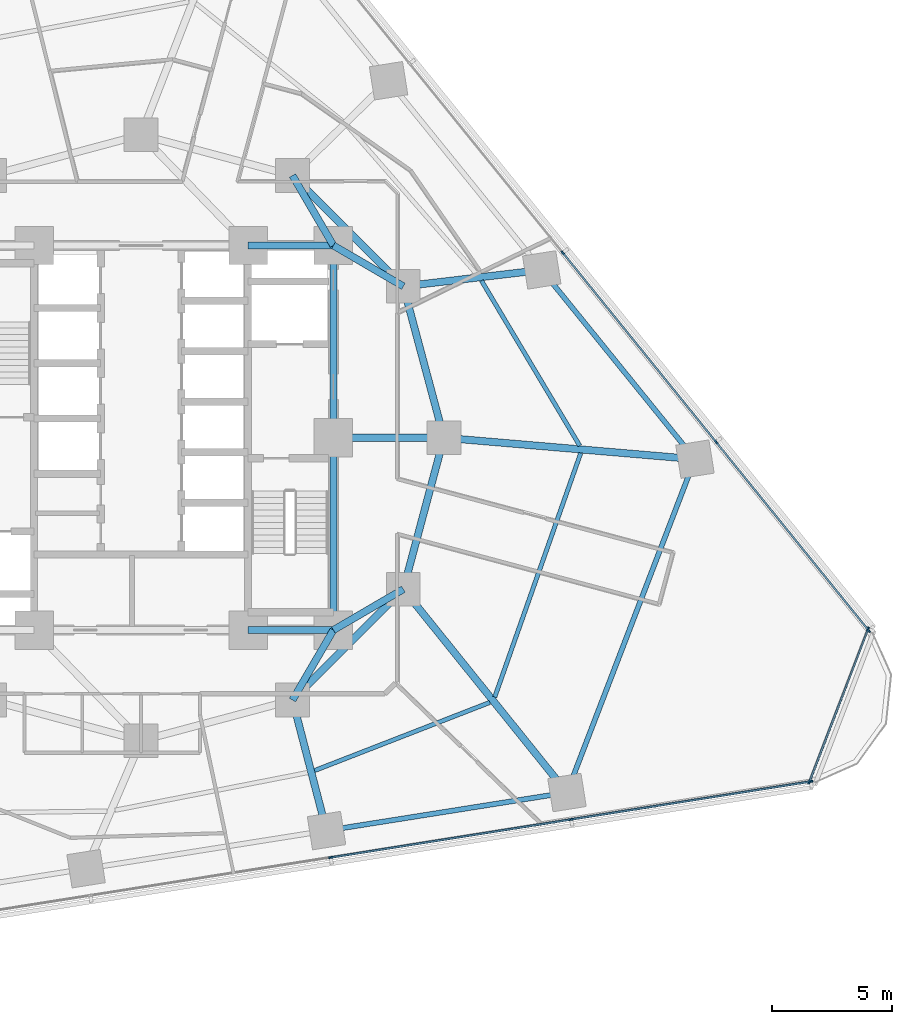
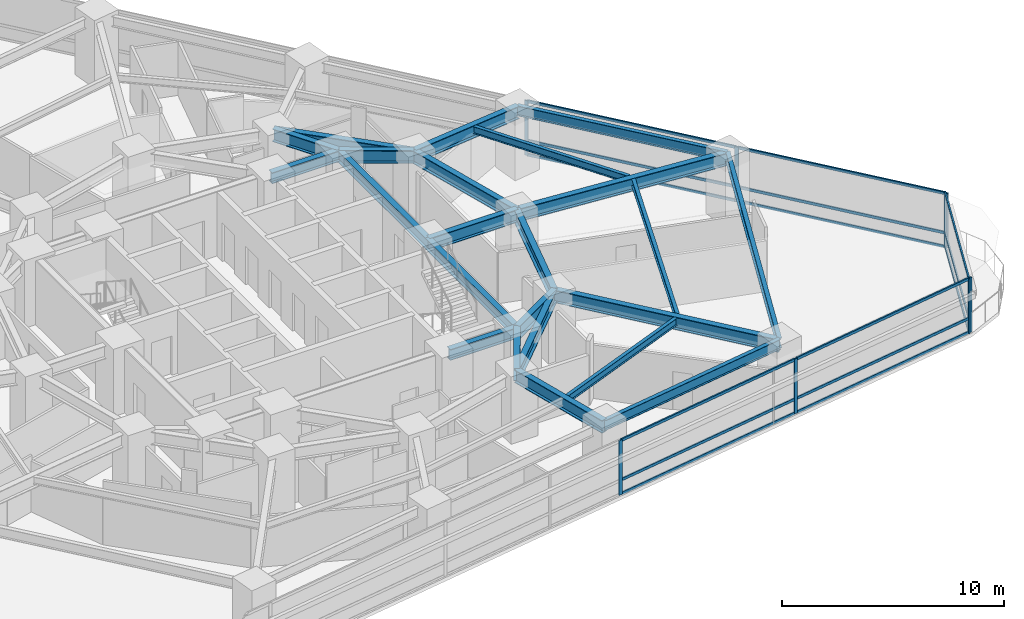
# One storey, part 4 of 14: 23 beams, 23 members, 3 elements without a shape of their own.
"""IFC4 building model written with IfcOpenShell, lengths in metres."""

from ifc_helpers import new_model, si_unit, direction, frame, origin, origin_2d, place, context, subcontext, project, spatial, rectangle, i_section, extrude, material, layer, layer_set, material_profile, profile_set, type_object, element, aggregate, save


model = new_model("IFC4")

# Units and contexts
model_context = context("Model", 3, precision=1e-05, world=origin(), true_north=direction((0.0, 1.0)))
body_context = subcontext(model_context, "Body", "Model", "MODEL_VIEW")
ifc_project = project(units=[si_unit("LENGTHUNIT", "METRE"), si_unit("AREAUNIT", "SQUARE_METRE"), si_unit("VOLUMEUNIT", "CUBIC_METRE"), si_unit("PLANEANGLEUNIT", "RADIAN"), si_unit("MASSUNIT", "GRAM", prefix="KILO")], contexts=[model_context])

# Site, building, storey
site_placement = place(None, origin())
site = spatial("IfcSite", under=ifc_project, at=site_placement, CompositionType="ELEMENT")
building_placement = place(site_placement, origin())
building = spatial("IfcBuilding", under=site, at=building_placement, Name="Terralouvre Media Tower", CompositionType="ELEMENT")
storey_placement = place(building_placement, frame((0.0, 0.0, 66.699951171875)))
storey = spatial("IfcBuildingStorey", under=building, at=storey_placement, Name="L16", CompositionType="ELEMENT", Elevation=66.699951171875)

# Beams
ifc_material_1 = material(Name="Structural steel S355J2", Category="steel")
ifc_material_profile_1 = material_profile(ifc_material_1, i_section(OverallWidth=0.179931640625, OverallDepth=0.39990234375, WebThickness=0.008544921875, FlangeThickness=0.013427734375, at=origin_2d()), Name="IPE 400")
ifc_profile_set_1 = profile_set([ifc_material_profile_1], Name="Structural steel S355J2")
beam_type_1 = type_object("IfcBeamType", Name="Composite Floor Joist J-IPE400 (IPE 400)", PredefinedType="JOIST", material=ifc_profile_set_1)
beam_1_placement = place(storey_placement, frame((7.21826171875, -13.844482421875, 3.300048828125), z_axis=(0.931999401601, 0.362459812139, 0.0), x_axis=(-0.362459812139, 0.931999401601, 0.0)))
element("IfcBeam", 1, at=beam_1_placement, inside=storey, type_object=beam_type_1, Name="L16 Framing Beam JT-L16-04", PredefinedType="JOIST", context=body_context, shape_type="SweptSolid", body=[
    extrude(i_section(OverallWidth=0.179931640625, OverallDepth=0.39990234375, WebThickness=0.008544921875, FlangeThickness=0.013427734375, at=origin_2d()), origin(), (0.0, 0.0, 1.0), 7.82470703125),
])
beam_2_placement = place(storey_placement, frame((14.713623046875, -10.78759765625, 3.300048828125), z_axis=(0.332419189209, 0.943131741935, 0.0), x_axis=(-0.943131741935, 0.332419189209, 0.0)))
element("IfcBeam", 2, at=beam_2_placement, inside=storey, type_object=beam_type_1, Name="L16 Framing Beam JT-L16-05", PredefinedType="JOIST", context=body_context, shape_type="SweptSolid", body=[
    extrude(i_section(OverallWidth=0.179931640625, OverallDepth=0.39990234375, WebThickness=0.008544921875, FlangeThickness=0.013427734375, at=origin_2d()), origin(), (0.0, 0.0, 1.0), 10.766845703125),
])
beam_3_placement = place(storey_placement, frame((18.250244140625, -0.331787109375, 3.300048828125), z_axis=(-0.511572999737, 0.859239818642, 0.0), x_axis=(-0.859239818642, -0.511572999737, 0.0)))
element("IfcBeam", 3, at=beam_3_placement, inside=storey, type_object=beam_type_1, Name="L16 Framing Beam JT-L16-06", PredefinedType="JOIST", context=body_context, shape_type="SweptSolid", body=[
    extrude(i_section(OverallWidth=0.179931640625, OverallDepth=0.39990234375, WebThickness=0.008544921875, FlangeThickness=0.013427734375, at=origin_2d()), origin(), (0.0, 0.0, 1.0), 7.99267578125),
])

# Curtain wall, members
ifc_material_2 = material(Name="Low-iron laminated double glazing with solar-control coating", Category="glass")
ifc_layer_1 = layer(ifc_material_2, 0.1650390625, Name="Lower Media Tower Unitised Curtain Wall CW-02")
ifc_layer_set_1 = layer_set([ifc_layer_1], Name="Low-iron laminated double glazing with solar-control coating")
curtain_wall_type_1 = type_object("IfcCurtainWallType", Name="Lower Media Tower Unitised Curtain Wall CW-02", PredefinedType="NOTDEFINED", material=ifc_layer_set_1)
curtain_wall_1_placement = place(storey_placement, origin())
curtain_wall_1 = element("IfcCurtainWall", 4, at=curtain_wall_1_placement, inside=storey, type_object=curtain_wall_type_1, Name="L16 Facade Curtain Wall F0", PredefinedType="NOTDEFINED")
ifc_material_3 = material(Name="Anodised extruded aluminium 6063-T6", Category="aluminium")
ifc_material_profile_2 = material_profile(ifc_material_3, rectangle(XDim=0.074951171875, YDim=0.14990234375, at=origin_2d()), Name="ALU 75x150")
ifc_profile_set_2 = profile_set([ifc_material_profile_2], Name="Anodised extruded aluminium 6063-T6")
member_type_1 = type_object("IfcMemberType", Name="Curtain-Wall Horizontal Transom TR-150", PredefinedType="USERDEFINED", material=ifc_profile_set_2)
member_1_placement = place(storey_placement, frame((7.929443359375, -17.452880859375, 0.03759765625), z_axis=(0.987690198625, 0.156422733448, 0.0), x_axis=(-0.156422733448, 0.987690198625, 0.0)))
member_1 = element("IfcMember", 5, at=member_1_placement, type_object=member_type_1, Name="CW-02 transom 4.1", ObjectType="TRANSOM", PredefinedType="USERDEFINED", context=body_context, shape_type="SweptSolid", body=[
    extrude(rectangle(XDim=0.074951171875, YDim=0.14990234375, at=origin_2d()), origin(), (0.0, 0.0, 1.0), 10.052978515625),
])
member_2_placement = place(storey_placement, frame((7.929443359375, -17.452880859375, 0.800048828125), z_axis=(0.987690198625, 0.156422733448, 0.0), x_axis=(-0.156422733448, 0.987690198625, 0.0)))
member_2 = element("IfcMember", 6, at=member_2_placement, type_object=member_type_1, Name="CW-02 transom 4.2", ObjectType="TRANSOM", PredefinedType="USERDEFINED", context=body_context, shape_type="SweptSolid", body=[
    extrude(rectangle(XDim=0.074951171875, YDim=0.14990234375, at=origin_2d()), origin(), (0.0, 0.0, 1.0), 10.052978515625),
])
member_3_placement = place(storey_placement, frame((7.929443359375, -17.452880859375, 2.962646484375), z_axis=(0.987690198625, 0.156422733448, 0.0), x_axis=(-0.156422733448, 0.987690198625, 0.0)))
member_3 = element("IfcMember", 7, at=member_3_placement, type_object=member_type_1, Name="CW-02 transom 4.3", ObjectType="TRANSOM", PredefinedType="USERDEFINED", context=body_context, shape_type="SweptSolid", body=[
    extrude(rectangle(XDim=0.074951171875, YDim=0.14990234375, at=origin_2d()), origin(), (0.0, 0.0, 1.0), 10.052978515625),
])
member_4_placement = place(storey_placement, frame((17.9326171875, -15.86865234375, 0.03759765625), z_axis=(0.987686755457, 0.156444472878, 0.0), x_axis=(-0.156444472878, 0.987686755457, 0.0)))
member_4 = element("IfcMember", 8, at=member_4_placement, type_object=member_type_1, Name="CW-02 transom 5.1", ObjectType="TRANSOM", PredefinedType="USERDEFINED", context=body_context, shape_type="SweptSolid", body=[
    extrude(rectangle(XDim=0.074951171875, YDim=0.14990234375, at=origin_2d()), origin(), (0.0, 0.0, 1.0), 10.015625),
])
member_5_placement = place(storey_placement, frame((17.9326171875, -15.86865234375, 0.800048828125), z_axis=(0.987686755457, 0.156444472878, 0.0), x_axis=(-0.156444472878, 0.987686755457, 0.0)))
member_5 = element("IfcMember", 9, at=member_5_placement, type_object=member_type_1, Name="CW-02 transom 5.2", ObjectType="TRANSOM", PredefinedType="USERDEFINED", context=body_context, shape_type="SweptSolid", body=[
    extrude(rectangle(XDim=0.074951171875, YDim=0.14990234375, at=origin_2d()), origin(), (0.0, 0.0, 1.0), 10.015625),
])
member_6_placement = place(storey_placement, frame((17.9326171875, -15.86865234375, 2.962646484375), z_axis=(0.987686755457, 0.156444472878, 0.0), x_axis=(-0.156444472878, 0.987686755457, 0.0)))
member_6 = element("IfcMember", 10, at=member_6_placement, type_object=member_type_1, Name="CW-02 transom 5.3", ObjectType="TRANSOM", PredefinedType="USERDEFINED", context=body_context, shape_type="SweptSolid", body=[
    extrude(rectangle(XDim=0.074951171875, YDim=0.14990234375, at=origin_2d()), origin(), (0.0, 0.0, 1.0), 10.015625),
])

curtain_wall_2_placement = place(storey_placement, origin())
curtain_wall_2 = element("IfcCurtainWall", 11, at=curtain_wall_2_placement, inside=storey, type_object=curtain_wall_type_1, Name="L16 Facade Curtain Wall F1", PredefinedType="NOTDEFINED")
member_7_placement = place(storey_placement, frame((30.247802734375, -7.990234375, 0.03759765625), z_axis=(-0.629312521445, 0.777152334071, 0.0), x_axis=(-0.777152334071, -0.629312521445, 0.0)))
member_7 = element("IfcMember", 12, at=member_7_placement, type_object=member_type_1, Name="CW-02 transom 1.1", ObjectType="TRANSOM", PredefinedType="USERDEFINED", context=body_context, shape_type="SweptSolid", body=[
    extrude(rectangle(XDim=0.074951171875, YDim=0.14990234375, at=origin_2d()), origin(), (0.0, 0.0, 1.0), 10.015625),
])
member_8_placement = place(storey_placement, frame((30.247802734375, -7.990234375, 0.800048828125), z_axis=(-0.629312521445, 0.777152334071, 0.0), x_axis=(-0.777152334071, -0.629312521445, 0.0)))
member_8 = element("IfcMember", 13, at=member_8_placement, type_object=member_type_1, Name="CW-02 transom 1.2", ObjectType="TRANSOM", PredefinedType="USERDEFINED", context=body_context, shape_type="SweptSolid", body=[
    extrude(rectangle(XDim=0.074951171875, YDim=0.14990234375, at=origin_2d()), origin(), (0.0, 0.0, 1.0), 10.015625),
])
member_9_placement = place(storey_placement, frame((30.247802734375, -7.990234375, 2.962646484375), z_axis=(-0.629312521445, 0.777152334071, 0.0), x_axis=(-0.777152334071, -0.629312521445, 0.0)))
member_9 = element("IfcMember", 14, at=member_9_placement, type_object=member_type_1, Name="CW-02 transom 1.3", ObjectType="TRANSOM", PredefinedType="USERDEFINED", context=body_context, shape_type="SweptSolid", body=[
    extrude(rectangle(XDim=0.074951171875, YDim=0.14990234375, at=origin_2d()), origin(), (0.0, 0.0, 1.0), 10.015625),
])
member_10_placement = place(storey_placement, frame((23.8974609375, -0.1484375, 0.03759765625), z_axis=(-0.629307207311, 0.777156637253, 0.0), x_axis=(-0.777156637253, -0.629307207311, 0.0)))
member_10 = element("IfcMember", 15, at=member_10_placement, type_object=member_type_1, Name="CW-02 transom 2.1", ObjectType="TRANSOM", PredefinedType="USERDEFINED", context=body_context, shape_type="SweptSolid", body=[
    extrude(rectangle(XDim=0.074951171875, YDim=0.14990234375, at=origin_2d()), origin(), (0.0, 0.0, 1.0), 10.052978515625),
])
member_11_placement = place(storey_placement, frame((23.8974609375, -0.1484375, 0.800048828125), z_axis=(-0.629307207311, 0.777156637253, 0.0), x_axis=(-0.777156637253, -0.629307207311, 0.0)))
member_11 = element("IfcMember", 16, at=member_11_placement, type_object=member_type_1, Name="CW-02 transom 2.2", ObjectType="TRANSOM", PredefinedType="USERDEFINED", context=body_context, shape_type="SweptSolid", body=[
    extrude(rectangle(XDim=0.074951171875, YDim=0.14990234375, at=origin_2d()), origin(), (0.0, 0.0, 1.0), 10.052978515625),
])
member_12_placement = place(storey_placement, frame((23.8974609375, -0.1484375, 2.962646484375), z_axis=(-0.629307207311, 0.777156637253, 0.0), x_axis=(-0.777156637253, -0.629307207311, 0.0)))
member_12 = element("IfcMember", 17, at=member_12_placement, type_object=member_type_1, Name="CW-02 transom 2.3", ObjectType="TRANSOM", PredefinedType="USERDEFINED", context=body_context, shape_type="SweptSolid", body=[
    extrude(rectangle(XDim=0.074951171875, YDim=0.14990234375, at=origin_2d()), origin(), (0.0, 0.0, 1.0), 10.052978515625),
])

ifc_material_4 = material(Name="Low-iron laminated double glazing with solar-control coating", Category="glass")
ifc_layer_2 = layer(ifc_material_4, 0.1650390625, Name="Rounded Wind-Corner Curved Glazing CW-04")
ifc_layer_set_2 = layer_set([ifc_layer_2], Name="Low-iron laminated double glazing with solar-control coating")
curtain_wall_type_2 = type_object("IfcCurtainWallType", Name="Rounded Wind-Corner Curved Glazing CW-04", PredefinedType="NOTDEFINED", material=ifc_layer_set_2)
curtain_wall_3_placement = place(storey_placement, origin())
curtain_wall_3 = element("IfcCurtainWall", 18, at=curtain_wall_3_placement, inside=storey, type_object=curtain_wall_type_2, Name="L16 Rounded Wind-Corner Curtain Wall C1", PredefinedType="NOTDEFINED")
member_13_placement = place(storey_placement, frame((27.81396484375, -14.288330078125, 0.03759765625), z_axis=(0.358345802392, 0.933588927691, 0.0), x_axis=(-0.933588927691, 0.358345802392, 0.0)))
member_13 = element("IfcMember", 19, at=member_13_placement, type_object=member_type_1, Name="CW-04 transom 1.1", ObjectType="TRANSOM", PredefinedType="USERDEFINED", context=body_context, shape_type="SweptSolid", body=[
    extrude(rectangle(XDim=0.074951171875, YDim=0.14990234375, at=origin_2d()), origin(), (0.0, 0.0, 1.0), 6.743408203125),
])
member_14_placement = place(storey_placement, frame((27.81396484375, -14.288330078125, 0.800048828125), z_axis=(0.358345802392, 0.933588927691, 0.0), x_axis=(-0.933588927691, 0.358345802392, 0.0)))
member_14 = element("IfcMember", 20, at=member_14_placement, type_object=member_type_1, Name="CW-04 transom 1.2", ObjectType="TRANSOM", PredefinedType="USERDEFINED", context=body_context, shape_type="SweptSolid", body=[
    extrude(rectangle(XDim=0.074951171875, YDim=0.14990234375, at=origin_2d()), origin(), (0.0, 0.0, 1.0), 6.743408203125),
])
member_15_placement = place(storey_placement, frame((27.81396484375, -14.288330078125, 2.962646484375), z_axis=(0.358345802392, 0.933588927691, 0.0), x_axis=(-0.933588927691, 0.358345802392, 0.0)))
member_15 = element("IfcMember", 21, at=member_15_placement, type_object=member_type_1, Name="CW-04 transom 1.3", ObjectType="TRANSOM", PredefinedType="USERDEFINED", context=body_context, shape_type="SweptSolid", body=[
    extrude(rectangle(XDim=0.074951171875, YDim=0.14990234375, at=origin_2d()), origin(), (0.0, 0.0, 1.0), 6.743408203125),
])

# Member
ifc_material_5 = material(Name="Anodised extruded aluminium 6063-T6", Category="aluminium")
ifc_material_profile_3 = material_profile(ifc_material_5, rectangle(XDim=0.074951171875, YDim=0.179931640625, at=origin_2d()), Name="ALU 75x180")
ifc_profile_set_3 = profile_set([ifc_material_profile_3], Name="Anodised extruded aluminium 6063-T6")
member_type_2 = type_object("IfcMemberType", Name="Curtain-Wall Vertical Mullion ML-180", PredefinedType="MULLION", material=ifc_profile_set_3)
member_16_placement = place(storey_placement, frame((7.892333984375, -17.458740234375, 0.0), z_axis=(0.0, 0.0, 1.0), x_axis=(-0.156434462903, 0.987688340934, 0.0)))
member_16 = element("IfcMember", 22, at=member_16_placement, type_object=member_type_2, Name="CW-02 mullion 4", PredefinedType="MULLION", context=body_context, shape_type="SweptSolid", body=[
    extrude(rectangle(XDim=0.074951171875, YDim=0.179931640625, at=origin_2d()), origin(), (0.0, 0.0, 1.0), 3.0),
])

member_17_placement = place(storey_placement, frame((17.895751953125, -15.87451171875, 0.0), z_axis=(0.0, 0.0, 1.0), x_axis=(-0.156434462903, 0.987688340934, 0.0)))
member_17 = element("IfcMember", 23, at=member_17_placement, type_object=member_type_2, Name="CW-02 mullion 5", PredefinedType="MULLION", context=body_context, shape_type="SweptSolid", body=[
    extrude(rectangle(XDim=0.074951171875, YDim=0.179931640625, at=origin_2d()), origin(), (0.0, 0.0, 1.0), 3.0),
])

member_18_placement = place(storey_placement, frame((27.86181640625, -14.2958984375, 0.0), z_axis=(0.0, 0.0, 1.0), x_axis=(-0.156434462903, 0.987688340934, 0.0)))
member_18 = element("IfcMember", 24, at=member_18_placement, type_object=member_type_2, Name="CW-02 mullion 6", PredefinedType="MULLION", context=body_context, shape_type="SweptSolid", body=[
    extrude(rectangle(XDim=0.074951171875, YDim=0.179931640625, at=origin_2d()), origin(), (0.0, 0.0, 1.0), 3.0),
])

aggregate(curtain_wall_1, [member_16, member_17, member_18, member_1, member_2, member_3, member_4, member_5, member_6])

member_19_placement = place(storey_placement, frame((30.271240234375, -8.019287109375, 0.0), z_axis=(0.0, 0.0, 1.0), x_axis=(-0.777145994276, -0.629320350521, 0.0)))
member_19 = element("IfcMember", 25, at=member_19_placement, type_object=member_type_2, Name="CW-02 mullion 1", PredefinedType="MULLION", context=body_context, shape_type="SweptSolid", body=[
    extrude(rectangle(XDim=0.074951171875, YDim=0.179931640625, at=origin_2d()), origin(), (0.0, 0.0, 1.0), 3.0),
])

member_20_placement = place(storey_placement, frame((23.921142578125, -0.177490234375, 0.0), z_axis=(0.0, 0.0, 1.0), x_axis=(-0.777145994276, -0.629320350521, 0.0)))
member_20 = element("IfcMember", 26, at=member_20_placement, type_object=member_type_2, Name="CW-02 mullion 2", PredefinedType="MULLION", context=body_context, shape_type="SweptSolid", body=[
    extrude(rectangle(XDim=0.074951171875, YDim=0.179931640625, at=origin_2d()), origin(), (0.0, 0.0, 1.0), 3.0),
])

member_21_placement = place(storey_placement, frame((17.54736328125, 7.693359375, 0.0), z_axis=(0.0, 0.0, 1.0), x_axis=(-0.777145994276, -0.629320350521, 0.0)))
member_21 = element("IfcMember", 27, at=member_21_placement, type_object=member_type_2, Name="CW-02 mullion 3", PredefinedType="MULLION", context=body_context, shape_type="SweptSolid", body=[
    extrude(rectangle(XDim=0.074951171875, YDim=0.179931640625, at=origin_2d()), origin(), (0.0, 0.0, 1.0), 3.0),
])

aggregate(curtain_wall_2, [member_19, member_20, member_21, member_7, member_8, member_9, member_10, member_11, member_12])

member_22_placement = place(storey_placement, frame((27.800537109375, -14.323486328125, 0.0), z_axis=(0.0, 0.0, 1.0), x_axis=(-0.933580609478, 0.358367472863, 0.0)))
member_22 = element("IfcMember", 28, at=member_22_placement, type_object=member_type_2, Name="CW-04 mullion 1", PredefinedType="MULLION", context=body_context, shape_type="SweptSolid", body=[
    extrude(rectangle(XDim=0.074951171875, YDim=0.179931640625, at=origin_2d()), origin(), (0.0, 0.0, 1.0), 3.0),
])

member_23_placement = place(storey_placement, frame((30.243896484375, -7.957763671875, 0.0), z_axis=(0.0, 0.0, 1.0), x_axis=(-0.933580609478, 0.358367472863, 0.0)))
member_23 = element("IfcMember", 29, at=member_23_placement, type_object=member_type_2, Name="CW-04 mullion 2", PredefinedType="MULLION", context=body_context, shape_type="SweptSolid", body=[
    extrude(rectangle(XDim=0.074951171875, YDim=0.179931640625, at=origin_2d()), origin(), (0.0, 0.0, 1.0), 3.0),
])

aggregate(curtain_wall_3, [member_22, member_23, member_13, member_14, member_15])

# Beams
ifc_material_6 = material(Name="Structural steel S355J2", Category="steel")
ifc_material_profile_4 = material_profile(ifc_material_6, i_section(OverallWidth=0.2099609375, OverallDepth=0.550048828125, WebThickness=0.010986328125, FlangeThickness=0.01708984375, at=origin_2d()), Name="IPE 550")
ifc_profile_set_4 = profile_set([ifc_material_profile_4], Name="Structural steel S355J2")
beam_type_2 = type_object("IfcBeamType", Name="Perimeter Spandrel Beam SPB-550 (IPE 550)", PredefinedType="SPANDREL", material=ifc_profile_set_4)
beam_4_placement = place(storey_placement, frame((7.715576171875, -16.3427734375, 3.22509765625), z_axis=(0.987686424887, 0.156446559869, 0.0), x_axis=(-0.156446559869, 0.987686424887, 0.0)))
element("IfcBeam", 30, at=beam_4_placement, inside=storey, type_object=beam_type_2, Name="L16 Framing Beam BM-L16-PR04", PredefinedType="SPANDREL", context=body_context, shape_type="SweptSolid", body=[
    extrude(i_section(OverallWidth=0.2099609375, OverallDepth=0.550048828125, WebThickness=0.010986328125, FlangeThickness=0.01708984375, at=origin_2d()), origin(), (0.0, 0.0, 1.0), 10.1279296875),
])
beam_5_placement = place(storey_placement, frame((17.71875, -14.75830078125, 3.22509765625), z_axis=(0.358377748767, 0.933576664869, 0.0), x_axis=(-0.933576664869, 0.358377748767, 0.0)))
element("IfcBeam", 31, at=beam_5_placement, inside=storey, type_object=beam_type_2, Name="L16 Framing Beam BM-L16-PR05", PredefinedType="SPANDREL", context=body_context, shape_type="SweptSolid", body=[
    extrude(i_section(OverallWidth=0.2099609375, OverallDepth=0.550048828125, WebThickness=0.010986328125, FlangeThickness=0.01708984375, at=origin_2d()), origin(), (0.0, 0.0, 1.0), 14.8564453125),
])
beam_6_placement = place(storey_placement, frame((23.04296875, -0.888671875, 3.22509765625), z_axis=(-0.629314025627, 0.777151116031, 0.0), x_axis=(-0.777151116031, -0.629314025627, 0.0)))
element("IfcBeam", 32, at=beam_6_placement, inside=storey, type_object=beam_type_2, Name="L16 Framing Beam BM-L16-PR06", PredefinedType="SPANDREL", context=body_context, shape_type="SweptSolid", body=[
    extrude(i_section(OverallWidth=0.2099609375, OverallDepth=0.550048828125, WebThickness=0.010986328125, FlangeThickness=0.01708984375, at=origin_2d()), origin(), (0.0, 0.0, 1.0), 10.128173828125),
])
ifc_material_7 = material(Name="Structural steel S460M", Category="steel")
ifc_material_profile_5 = material_profile(ifc_material_7, i_section(OverallWidth=0.300048828125, OverallDepth=0.60009765625, WebThickness=0.015380859375, FlangeThickness=0.030029296875, at=origin_2d()), Name="HEB 600")
ifc_profile_set_5 = profile_set([ifc_material_profile_5], Name="Structural steel S460M")
beam_type_3 = type_object("IfcBeamType", Name="Primary Floor Girder B-HEB600 (HEB 600)", PredefinedType="BEAM", material=ifc_profile_set_5)
beam_7_placement = place(storey_placement, frame((4.449951171875, -8.0, 3.199951171875), z_axis=(1.0, 0.0, 0.0), x_axis=(0.0, 1.0, 0.0)))
element("IfcBeam", 33, at=beam_7_placement, inside=storey, type_object=beam_type_3, Name="L16 Framing Beam BM-L16-CPR03", PredefinedType="BEAM", context=body_context, shape_type="SweptSolid", body=[
    extrude(i_section(OverallWidth=0.300048828125, OverallDepth=0.60009765625, WebThickness=0.015380859375, FlangeThickness=0.030029296875, at=origin_2d()), origin(), (0.0, 0.0, 1.0), 3.550048828125),
])
for number, where, z_axis, x_axis, name in (
    (34, (8.0, -8.0, 3.199951171875), (0.0, 1.0, 0.0), (-1.0, 0.0, 0.0), "L16 Framing Beam BM-L16-CPR04"),
    (35, (8.0, 0.0, 3.199951171875), (0.0, 1.0, 0.0), (-1.0, 0.0, 0.0), "L16 Framing Beam BM-L16-CPR05"),
):
    element("IfcBeam", number, at=place(storey_placement, frame(where, z_axis=z_axis, x_axis=x_axis)), inside=storey, type_object=beam_type_3, Name=name, PredefinedType="BEAM", context=body_context, shape_type="SweptSolid", body=[
        extrude(i_section(OverallWidth=0.300048828125, OverallDepth=0.60009765625, WebThickness=0.015380859375, FlangeThickness=0.030029296875, at=origin_2d()), origin(), (0.0, 0.0, 1.0), 8.0),
    ])
beam_8_placement = place(storey_placement, frame((8.0, 8.0, 3.199951171875), z_axis=(-1.0, 0.0, 0.0), x_axis=(0.0, -1.0, 0.0)))
element("IfcBeam", 36, at=beam_8_placement, inside=storey, type_object=beam_type_3, Name="L16 Framing Beam BM-L16-CPR06", PredefinedType="BEAM", context=body_context, shape_type="SweptSolid", body=[
    extrude(i_section(OverallWidth=0.300048828125, OverallDepth=0.60009765625, WebThickness=0.015380859375, FlangeThickness=0.030029296875, at=origin_2d()), origin(), (0.0, 0.0, 1.0), 3.550048828125),
])
ifc_material_8 = material(Name="Structural steel S460M", Category="steel")
ifc_material_profile_6 = material_profile(ifc_material_8, i_section(OverallWidth=0.300048828125, OverallDepth=0.699951171875, WebThickness=0.01708984375, FlangeThickness=0.031982421875, at=origin_2d()), Name="HEB 700")
ifc_profile_set_6 = profile_set([ifc_material_profile_6], Name="Structural steel S460M")
beam_type_4 = type_object("IfcBeamType", Name="Primary Floor Girder B-HEB700 (HEB 700)", PredefinedType="BEAM", material=ifc_profile_set_6)
beam_9_placement = place(storey_placement, frame((6.300048828125, -10.911865234375, 3.150146484375), z_axis=(0.707106781187, 0.707106781187, 0.0), x_axis=(-0.707106781187, 0.707106781187, 0.0)))
element("IfcBeam", 37, at=beam_9_placement, inside=storey, type_object=beam_type_4, Name="L16 Framing Beam BM-L16-MR04", PredefinedType="BEAM", context=body_context, shape_type="SweptSolid", body=[
    extrude(i_section(OverallWidth=0.300048828125, OverallDepth=0.699951171875, WebThickness=0.01708984375, FlangeThickness=0.031982421875, at=origin_2d()), origin(), (0.0, 0.0, 1.0), 6.52197265625),
])
for number, where, z_axis, x_axis, name in (
    (38, (10.911865234375, -6.300048828125, 3.150146484375), (0.258838989821, 0.965920481897, 0.0), (-0.965920481897, 0.258838989821, 0.0), "L16 Framing Beam BM-L16-MR05"),
    (39, (12.60009765625, 0.0, 3.150146484375), (-0.258838989821, 0.965920481897, 0.0), (-0.965920481897, -0.258838989821, 0.0), "L16 Framing Beam BM-L16-MR06"),
):
    element("IfcBeam", number, at=place(storey_placement, frame(where, z_axis=z_axis, x_axis=x_axis)), inside=storey, type_object=beam_type_4, Name=name, PredefinedType="BEAM", context=body_context, shape_type="SweptSolid", body=[
        extrude(i_section(OverallWidth=0.300048828125, OverallDepth=0.699951171875, WebThickness=0.01708984375, FlangeThickness=0.031982421875, at=origin_2d()), origin(), (0.0, 0.0, 1.0), 6.522216796875),
    ])
beam_10_placement = place(storey_placement, frame((10.911865234375, 6.300048828125, 3.150146484375), z_axis=(-0.707106781187, 0.707106781187, 0.0), x_axis=(-0.707106781187, -0.707106781187, 0.0)))
element("IfcBeam", 40, at=beam_10_placement, inside=storey, type_object=beam_type_4, Name="L16 Framing Beam BM-L16-MR07", PredefinedType="BEAM", context=body_context, shape_type="SweptSolid", body=[
    extrude(i_section(OverallWidth=0.300048828125, OverallDepth=0.699951171875, WebThickness=0.01708984375, FlangeThickness=0.031982421875, at=origin_2d()), origin(), (0.0, 0.0, 1.0), 6.52197265625),
])
for number, where, z_axis, x_axis, name in (
    (41, (8.0, -8.0, 3.150146484375), (-0.504172629717, -0.863602894532, 0.0), (0.863602894532, -0.504172629717, 0.0), "L16 Framing Beam BM-L16-CM04"),
    (42, (8.0, -8.0, 3.150146484375), (0.863602894532, 0.504172629717, 0.0), (-0.504172629717, 0.863602894532, 0.0), "L16 Framing Beam BM-L16-CM05"),
):
    element("IfcBeam", number, at=place(storey_placement, frame(where, z_axis=z_axis, x_axis=x_axis)), inside=storey, type_object=beam_type_4, Name=name, PredefinedType="BEAM", context=body_context, shape_type="SweptSolid", body=[
        extrude(i_section(OverallWidth=0.300048828125, OverallDepth=0.699951171875, WebThickness=0.01708984375, FlangeThickness=0.031982421875, at=origin_2d()), origin(), (0.0, 0.0, 1.0), 3.371826171875),
    ])
beam_11_placement = place(storey_placement, frame((8.0, 0.0, 3.150146484375), z_axis=(1.0, 0.0, 0.0), x_axis=(0.0, 1.0, 0.0)))
element("IfcBeam", 43, at=beam_11_placement, inside=storey, type_object=beam_type_4, Name="L16 Framing Beam BM-L16-CM06", PredefinedType="BEAM", context=body_context, shape_type="SweptSolid", body=[
    extrude(i_section(OverallWidth=0.300048828125, OverallDepth=0.699951171875, WebThickness=0.01708984375, FlangeThickness=0.031982421875, at=origin_2d()), origin(), (0.0, 0.0, 1.0), 4.60009765625),
])
for number, where, z_axis, x_axis, name in (
    (44, (8.0, 8.0, 3.150146484375), (0.863602894532, -0.504172629717, 0.0), (0.504172629717, 0.863602894532, 0.0), "L16 Framing Beam BM-L16-CM07"),
    (45, (8.0, 8.0, 3.150146484375), (-0.504172629717, 0.863602894532, 0.0), (-0.863602894532, -0.504172629717, 0.0), "L16 Framing Beam BM-L16-CM08"),
):
    element("IfcBeam", number, at=place(storey_placement, frame(where, z_axis=z_axis, x_axis=x_axis)), inside=storey, type_object=beam_type_4, Name=name, PredefinedType="BEAM", context=body_context, shape_type="SweptSolid", body=[
        extrude(i_section(OverallWidth=0.300048828125, OverallDepth=0.699951171875, WebThickness=0.01708984375, FlangeThickness=0.031982421875, at=origin_2d()), origin(), (0.0, 0.0, 1.0), 3.371826171875),
    ])
beam_12_placement = place(storey_placement, frame((6.300048828125, -10.911865234375, 3.150146484375), z_axis=(0.252216476238, -0.967670837172, 0.0), x_axis=(0.967670837172, 0.252216476238, 0.0)))
element("IfcBeam", 46, at=beam_12_placement, inside=storey, type_object=beam_type_4, Name="L16 Framing Beam BM-L16-RD04", PredefinedType="BEAM", context=body_context, shape_type="SweptSolid", body=[
    extrude(i_section(OverallWidth=0.300048828125, OverallDepth=0.699951171875, WebThickness=0.01708984375, FlangeThickness=0.031982421875, at=origin_2d()), origin(), (0.0, 0.0, 1.0), 5.6123046875),
])
beam_13_placement = place(storey_placement, frame((10.911865234375, -6.300048828125, 3.150146484375), z_axis=(0.626954818356, -0.779055617874, 0.0), x_axis=(0.779055617874, 0.626954818356, 0.0)))
element("IfcBeam", 47, at=beam_13_placement, inside=storey, type_object=beam_type_4, Name="L16 Framing Beam BM-L16-RD05", PredefinedType="BEAM", context=body_context, shape_type="SweptSolid", body=[
    extrude(i_section(OverallWidth=0.300048828125, OverallDepth=0.699951171875, WebThickness=0.01708984375, FlangeThickness=0.031982421875, at=origin_2d()), origin(), (0.0, 0.0, 1.0), 10.857177734375),
])
beam_14_placement = place(storey_placement, frame((12.60009765625, 0.0, 3.150146484375), z_axis=(0.996398677219, -0.084791957382, 0.0), x_axis=(0.084791957382, 0.996398677219, 0.0)))
element("IfcBeam", 48, at=beam_14_placement, inside=storey, type_object=beam_type_4, Name="L16 Framing Beam BM-L16-RD06", PredefinedType="BEAM", context=body_context, shape_type="SweptSolid", body=[
    extrude(i_section(OverallWidth=0.300048828125, OverallDepth=0.699951171875, WebThickness=0.01708984375, FlangeThickness=0.031982421875, at=origin_2d()), origin(), (0.0, 0.0, 1.0), 10.480712890625),
])
beam_15_placement = place(storey_placement, frame((10.911865234375, 6.300048828125, 3.150146484375), z_axis=(0.993049341372, 0.117698791838, 0.0), x_axis=(-0.117698791838, 0.993049341372, 0.0)))
element("IfcBeam", 49, at=beam_15_placement, inside=storey, type_object=beam_type_4, Name="L16 Framing Beam BM-L16-RD07", PredefinedType="BEAM", context=body_context, shape_type="SweptSolid", body=[
    extrude(i_section(OverallWidth=0.300048828125, OverallDepth=0.699951171875, WebThickness=0.01708984375, FlangeThickness=0.031982421875, at=origin_2d()), origin(), (0.0, 0.0, 1.0), 5.797607421875),
])

save(model, "model.ifc")
